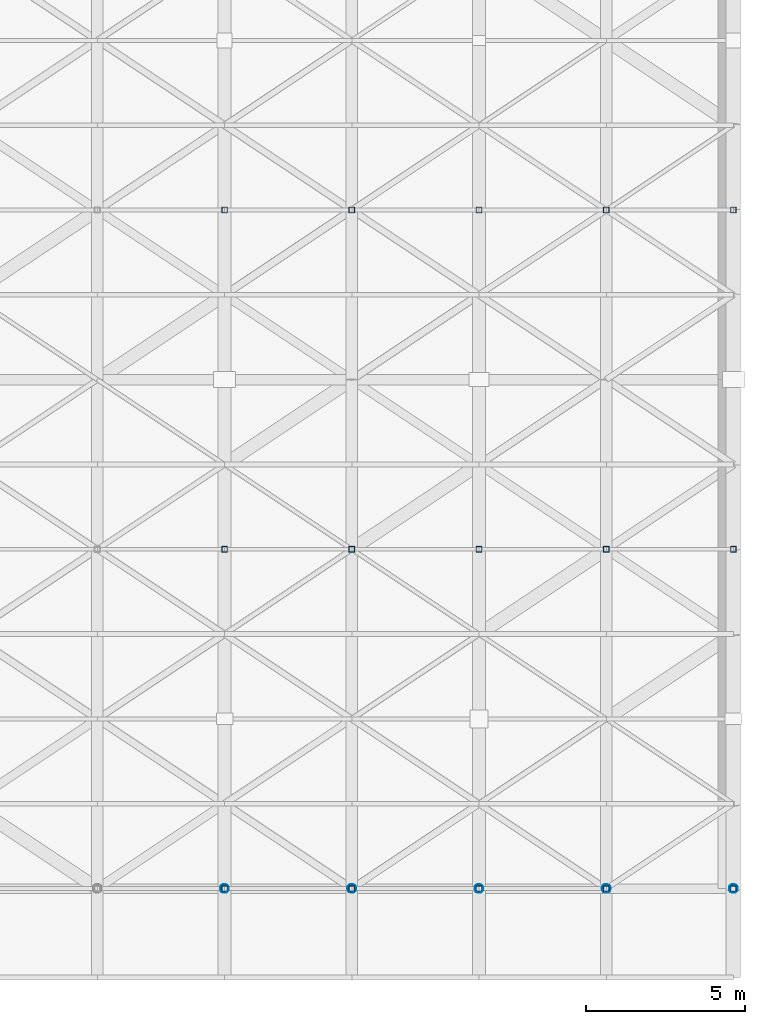
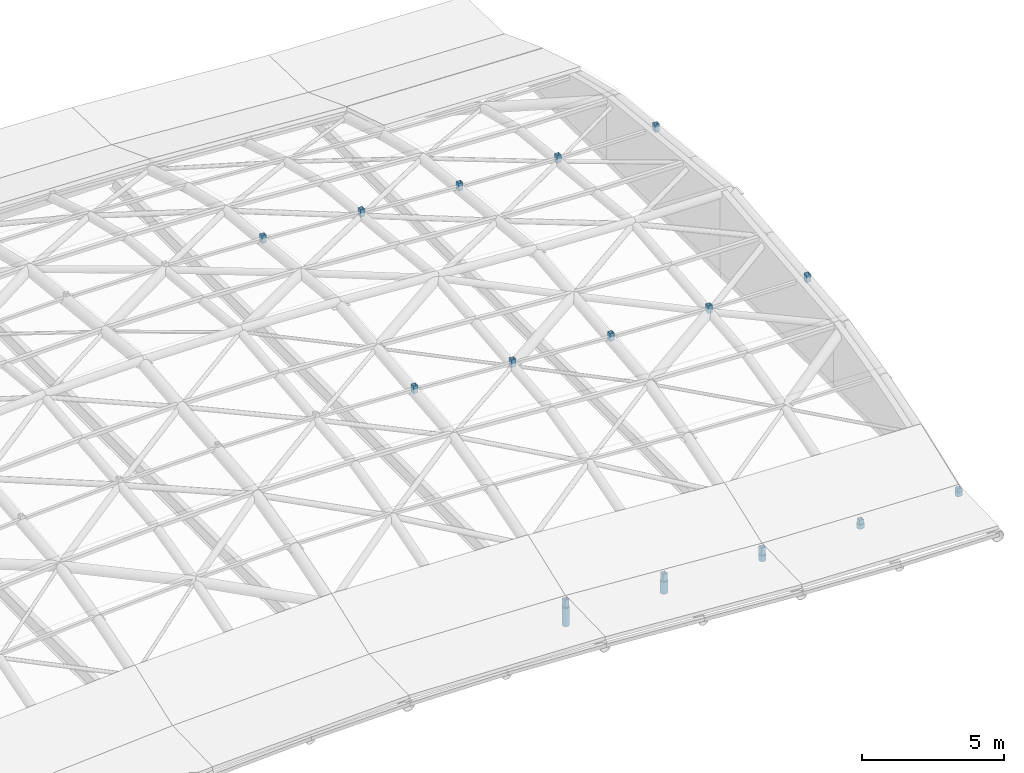
# One storey, part 15 of 20: 20 members.
"""IFC4 building model written with IfcOpenShell, lengths in metres."""

import ifcopenshell
import ifcopenshell.guid

model = None  # the IFC model being written
_history = None  # IfcOwnerHistory: only IFC2X3 demands one
_inside = {}  # id of a spatial element -> (the spatial element, [elements in it])
_under = {}  # id of a project, library or spatial element -> (it, [spatial elements below it])
_declared = {}  # id of a project -> (the project, [libraries it declares])
_typed = {}  # id of a type object -> (the type object, [elements of that type])
_made_of = {}  # id of a material, layer set ... -> (it, [elements and type objects made of it])


def new_model(schema):
    """Start an empty IFC model of exactly this schema.

    Asked for "IFC4X3", IfcOpenShell would pick the latest addendum, in which some entities
    have other attributes; the version numbers below select the first issue.
    IFC2X3 requires an IfcOwnerHistory on every rooted entity: one is made here for all.
    """
    global model, _history
    if schema == "IFC4X3":
        model = ifcopenshell.file(schema_version=(4, 3, 0, 0))
    else:
        model = ifcopenshell.file(schema=schema)
    _inside.clear()
    _under.clear()
    _declared.clear()
    _typed.clear()
    _made_of.clear()
    _history = None
    if model.schema == "IFC2X3":
        org = make("IfcOrganization", Name="unknown")
        user = make(
            "IfcPersonAndOrganization",
            ThePerson=make("IfcPerson", FamilyName="unknown"),
            TheOrganization=org,
        )
        app = make(
            "IfcApplication",
            ApplicationDeveloper=org,
            Version="unknown",
            ApplicationFullName="unknown",
            ApplicationIdentifier="unknown",
        )
        _history = make(
            "IfcOwnerHistory",
            OwningUser=user,
            OwningApplication=app,
            ChangeAction="ADDED",
            CreationDate=0,
        )
    return model


def make(cls, **values):
    """One entity of the class cls with the attributes given. An attribute that is None is left unset."""
    return model.create_entity(
        cls, **{name: value for name, value in values.items() if value is not None}
    )


def rooted(cls, **values):
    """An entity with a GlobalId (a new one), such as an element, a storey or a relation."""
    return make(cls, GlobalId=ifcopenshell.guid.new(), OwnerHistory=_history, **values)


def si_unit(unit_type, name, prefix=None):
    """IfcSIUnit, for example si_unit("LENGTHUNIT", "METRE", prefix="MILLI")."""
    return make("IfcSIUnit", UnitType=unit_type, Prefix=prefix, Name=name)


def assignment(units):
    """IfcUnitAssignment: the units of a project."""
    return None if units is None else make("IfcUnitAssignment", Units=units)


def point(xyz):
    """IfcCartesianPoint."""
    return None if xyz is None else make("IfcCartesianPoint", Coordinates=xyz)


def direction(xyz):
    """IfcDirection."""
    return None if xyz is None else make("IfcDirection", DirectionRatios=xyz)


def frame(location, z_axis=None, x_axis=None):
    """IfcAxis2Placement3D, a coordinate frame: its origin and axes. An axis left out is left unset."""
    return make(
        "IfcAxis2Placement3D",
        Location=point(location),
        Axis=direction(z_axis),
        RefDirection=direction(x_axis),
    )


def frame_2d(location, x_axis=None):
    """IfcAxis2Placement2D, a coordinate frame in the plane: its origin and x axis."""
    return make(
        "IfcAxis2Placement2D", Location=point(location), RefDirection=direction(x_axis)
    )


def origin():
    """The frame at (0, 0, 0) with its axes left unset."""
    return frame((0.0, 0.0, 0.0))


def origin_2d():
    """The frame at (0, 0) in the plane with its x axis left unset."""
    return frame_2d((0.0, 0.0))


def place(relative_to, where):
    """IfcLocalPlacement: puts the frame where relative to a parent placement (None: the world)."""
    return make(
        "IfcLocalPlacement", PlacementRelTo=relative_to, RelativePlacement=where
    )


def context(
    kind, dimensions, precision=None, world=None, true_north=None, identifier=None
):
    """IfcGeometricRepresentationContext, for example the 3D "Model" context."""
    return make(
        "IfcGeometricRepresentationContext",
        ContextIdentifier=identifier,
        ContextType=kind,
        CoordinateSpaceDimension=dimensions,
        Precision=precision,
        WorldCoordinateSystem=world,
        TrueNorth=true_north,
    )


def subcontext(parent, identifier, kind, view, scale=None):
    """IfcGeometricRepresentationSubContext, for example "Body" below "Model"."""
    return make(
        "IfcGeometricRepresentationSubContext",
        ContextIdentifier=identifier,
        ContextType=kind,
        ParentContext=parent,
        TargetScale=scale,
        TargetView=view,
    )


def project(units=None, contexts=None):
    """IfcProject with its units and contexts."""
    return rooted(
        "IfcProject",
        Name="project",
        RepresentationContexts=contexts,
        UnitsInContext=assignment(units),
    )


def spatial(cls, under=None, at=None, **own):
    """A site, building, storey or space (cls), placed at a placement, below another one or the project."""
    s = rooted(cls, ObjectPlacement=at, **own)
    if under is not None:
        _under.setdefault(under.id(), (under, []))[1].append(s)
    return s


def profile(cls, at=None, kind="AREA", **sizes):
    """A parametric profile (cls). Its sizes go by their IFC names, for example OverallWidth=200.0."""
    return make(cls, ProfileType=kind, Position=at, **sizes)


def hollow_rectangle(**sizes):
    """IfcRectangleHollowProfileDef."""
    return profile("IfcRectangleHollowProfileDef", **sizes)


def hollow_circle(**sizes):
    """IfcCircleHollowProfileDef."""
    return profile("IfcCircleHollowProfileDef", **sizes)


def extrude(swept, where, along, depth):
    """IfcExtrudedAreaSolid: the profile swept, set in the frame where, extruded along a direction by depth."""
    return make(
        "IfcExtrudedAreaSolid",
        SweptArea=swept,
        Position=where,
        ExtrudedDirection=direction(along),
        Depth=depth,
    )


def shape(context_of_items, identifier, shape_type, items):
    """IfcShapeRepresentation: the items that make up one representation, for example the "Body"."""
    return make(
        "IfcShapeRepresentation",
        ContextOfItems=context_of_items,
        RepresentationIdentifier=identifier,
        RepresentationType=shape_type,
        Items=items,
    )


def material(Name=None, Category=None):
    """IfcMaterial."""
    return make("IfcMaterial", Name=Name, Category=Category)


def material_profile(
    of_material, cross_section, Name=None, Category=None, Priority=None
):
    """IfcMaterialProfile: a cross section and its material."""
    return make(
        "IfcMaterialProfile",
        Name=Name,
        Material=of_material,
        Profile=cross_section,
        Priority=Priority,
        Category=Category,
    )


def profile_set(profiles, Name=None, composite=None):
    """IfcMaterialProfileSet."""
    return make(
        "IfcMaterialProfileSet",
        Name=Name,
        MaterialProfiles=profiles,
        CompositeProfile=composite,
    )


def made_of(thing, what):
    """Note that an element or type object is made of a material, layer set ...; save() writes the relation."""
    if what is not None:
        _made_of.setdefault(what.id(), (what, []))[1].append(thing)
    return thing


def type_object(cls, material=None, **own):
    """A type object (cls), such as IfcWallType, which elements share."""
    return made_of(rooted(cls, **own), material)


def element(
    cls,
    number,
    at=None,
    inside=None,
    cuts=None,
    type_object=None,
    material=None,
    context=None,
    identifier="Body",
    shape_type=None,
    held_by="IfcProductDefinitionShape",
    body=None,
    shapes=None,
    **own,
):
    """One element of the class cls, such as IfcWall. Its Tag is "e" and its number.

    at: its placement. inside: the storey or other place that contains it. cuts: it is an
    opening in that element (IfcRelVoidsElement). A single representation is given by context,
    identifier, shape_type and body (its items); several are given by shapes. held_by: the class
    of the entity that holds the representations. save() writes the other relations.
    """
    e = rooted(cls, Tag="e%d" % number, ObjectPlacement=at, **own)
    if body is not None:
        shapes = [shape(context, identifier, shape_type, body)]
    if shapes is not None:
        e.Representation = make(held_by, Representations=shapes)
    if inside is not None:
        _inside.setdefault(inside.id(), (inside, []))[1].append(e)
    if cuts is not None:
        rooted(
            "IfcRelVoidsElement", RelatingBuildingElement=cuts, RelatedOpeningElement=e
        )
    if type_object is not None:
        _typed.setdefault(type_object.id(), (type_object, []))[1].append(e)
    return made_of(e, material)


def aggregate(whole, parts):
    """IfcRelAggregates: a whole, such as a stair, and the parts it consists of."""
    return rooted("IfcRelAggregates", RelatingObject=whole, RelatedObjects=parts)


def save(model, path):
    """Write the relations noted so far, then the file.

    IfcRelAggregates (storeys below a building ...), IfcRelContainedInSpatialStructure (elements
    in a storey), IfcRelDefinesByType, IfcRelAssociatesMaterial and IfcRelDeclares: one each for
    every whole, place, type object, material and project.
    """
    for whole, parts in _under.values():
        aggregate(whole, parts)
    for where, things in _inside.values():
        rooted(
            "IfcRelContainedInSpatialStructure",
            RelatedElements=things,
            RelatingStructure=where,
        )
    for kind, things in _typed.values():
        rooted("IfcRelDefinesByType", RelatedObjects=things, RelatingType=kind)
    for what, things in _made_of.values():
        rooted("IfcRelAssociatesMaterial", RelatedObjects=things, RelatingMaterial=what)
    for by, libraries in _declared.values():
        rooted("IfcRelDeclares", RelatingContext=by, RelatedDefinitions=libraries)
    model.write(path)


model = new_model("IFC4")

# Units and contexts
model_context = context("Model", 3, precision=1e-05, world=origin(), true_north=direction((0.0, 1.0)))
body_context = subcontext(model_context, "Body", "Model", "MODEL_VIEW")
ifc_project = project(units=[si_unit("LENGTHUNIT", "METRE"), si_unit("AREAUNIT", "SQUARE_METRE"), si_unit("VOLUMEUNIT", "CUBIC_METRE"), si_unit("PLANEANGLEUNIT", "RADIAN"), si_unit("MASSUNIT", "GRAM", prefix="KILO")], contexts=[model_context])

# Site, building, storey
site_placement = place(None, origin())
site = spatial("IfcSite", under=ifc_project, at=site_placement, CompositionType="ELEMENT")
building_placement = place(site_placement, origin())
building = spatial("IfcBuilding", under=site, at=building_placement, Name="Tenunan Teduh Sports Hall", CompositionType="ELEMENT")
storey_placement = place(building_placement, frame((0.0, 0.0, 23.39990234375)))
storey = spatial("IfcBuildingStorey", under=building, at=storey_placement, Name="RF", CompositionType="ELEMENT", Elevation=23.39990234375)

# Members
ifc_material_1 = material(Name="Steel S355", Category="steel")
ifc_material_profile_1 = material_profile(ifc_material_1, hollow_circle(Radius=0.136474609375, WallThickness=0.010009765625, at=origin_2d()), Name="CHS 273.0x10.0")
ifc_profile_set_1 = profile_set([ifc_material_profile_1], Name="Steel S355")
member_type_1 = type_object("IfcMemberType", Name="MEM-ST-CHS273", PredefinedType="STRUT", material=ifc_profile_set_1)
member_1_placement = place(storey_placement, frame((38.0, 14.0, -0.349853515625), z_axis=(0.0, 0.0, 1.0), x_axis=(1.0, 0.0, 0.0)))
element("IfcMember", 1, at=member_1_placement, inside=storey, type_object=member_type_1, Name="MEM-VS-04-RF-0472", PredefinedType="STRUT", context=body_context, shape_type="SweptSolid", body=[
    extrude(hollow_circle(Radius=0.136474609375, WallThickness=0.010009765625, at=origin_2d()), origin(), (0.0, 0.0, 1.0), 0.794189453125),
])
member_2_placement = place(storey_placement, frame((42.0, 14.0, -0.349853515625), z_axis=(0.0, 0.0, 1.0), x_axis=(1.0, 0.0, 0.0)))
element("IfcMember", 2, at=member_2_placement, inside=storey, type_object=member_type_1, Name="MEM-VS-04-RF-0480", PredefinedType="STRUT", context=body_context, shape_type="SweptSolid", body=[
    extrude(hollow_circle(Radius=0.136474609375, WallThickness=0.010009765625, at=origin_2d()), origin(), (0.0, 0.0, 1.0), 0.520751953125),
])
member_3_placement = place(storey_placement, frame((46.0, 14.0, -0.349853515625), z_axis=(0.0, 0.0, 1.0), x_axis=(1.0, 0.0, 0.0)))
element("IfcMember", 3, at=member_3_placement, inside=storey, type_object=member_type_1, Name="MEM-VS-04-RF-0488", PredefinedType="STRUT", context=body_context, shape_type="SweptSolid", body=[
    extrude(hollow_circle(Radius=0.136474609375, WallThickness=0.010009765625, at=origin_2d()), origin(), (0.0, 0.0, 1.0), 0.243408203125),
])
for number, where, z_axis, x_axis, name in (
    (4, (50.0, 14.0, -0.349853515625), (0.0, 0.0, 1.0), (1.0, 0.0, 0.0), "MEM-VS-04-RF-0496"),
    (5, (54.0, 14.0, -0.349853515625), (0.0, 0.0, 1.0), (1.0, 0.0, 0.0), "MEM-VS-04-RF-0504"),
):
    element("IfcMember", number, at=place(storey_placement, frame(where, z_axis=z_axis, x_axis=x_axis)), inside=storey, type_object=member_type_1, Name=name, PredefinedType="STRUT", context=body_context, shape_type="SweptSolid", body=[
        extrude(hollow_circle(Radius=0.136474609375, WallThickness=0.010009765625, at=origin_2d()), origin(), (0.0, 0.0, 1.0), 0.18994140625),
    ])
ifc_material_2 = material(Name="Steel S355", Category="steel")
ifc_material_profile_2 = material_profile(ifc_material_2, hollow_rectangle(XDim=0.179931640625, YDim=0.179931640625, WallThickness=0.010009765625, at=origin_2d()), Name="SHS 180x180x10.0")
ifc_profile_set_2 = profile_set([ifc_material_profile_2], Name="Steel S355")
member_type_2 = type_object("IfcMemberType", Name="MEM-ST-SHS180", PredefinedType="STRUT", material=ifc_profile_set_2)
for number, where, z_axis, x_axis, name in (
    (6, (38.0, 14.0, 0.4443359375), (0.0, 0.0, 1.0), (1.0, 0.0, 0.0), "MEM-VS-03-RF-0476"),
    (7, (38.0, 24.666748046875, 3.1943359375), (0.0, 0.0, 1.0), (1.0, 0.0, 0.0), "MEM-VS-03-RF-0477"),
    (8, (38.0, 35.333251953125, 3.1943359375), (0.0, 0.0, 1.0), (1.0, 0.0, 0.0), "MEM-VS-03-RF-0478"),
    (9, (42.0, 14.0, 0.1708984375), (0.0, 0.0, 1.0), (1.0, 0.0, 0.0), "MEM-VS-03-RF-0484"),
    (10, (42.0, 24.666748046875, 2.9208984375), (0.0, 0.0, 1.0), (1.0, 0.0, 0.0), "MEM-VS-03-RF-0485"),
    (11, (42.0, 35.333251953125, 2.9208984375), (0.0, 0.0, 1.0), (1.0, 0.0, 0.0), "MEM-VS-03-RF-0486"),
    (12, (46.0, 14.0, -0.1064453125), (0.0, 0.0, 1.0), (1.0, 0.0, 0.0), "MEM-VS-03-RF-0492"),
    (13, (46.0, 24.666748046875, 2.6435546875), (0.0, 0.0, 1.0), (1.0, 0.0, 0.0), "MEM-VS-03-RF-0493"),
    (14, (46.0, 35.333251953125, 2.6435546875), (0.0, 0.0, 1.0), (1.0, 0.0, 0.0), "MEM-VS-03-RF-0494"),
    (15, (50.0, 14.0, -0.3056640625), (0.0, 0.0, 1.0), (1.0, 0.0, 0.0), "MEM-VS-03-RF-0500"),
    (16, (50.0, 24.666748046875, 2.4443359375), (0.0, 0.0, 1.0), (1.0, 0.0, 0.0), "MEM-VS-03-RF-0501"),
    (17, (50.0, 35.333251953125, 2.4443359375), (0.0, 0.0, 1.0), (1.0, 0.0, 0.0), "MEM-VS-03-RF-0502"),
    (18, (54.0, 14.0, -0.3798828125), (0.0, 0.0, 1.0), (1.0, 0.0, 0.0), "MEM-VS-03-RF-0508"),
    (19, (54.0, 24.666748046875, 2.3701171875), (0.0, 0.0, 1.0), (1.0, 0.0, 0.0), "MEM-VS-03-RF-0509"),
    (20, (54.0, 35.333251953125, 2.3701171875), (0.0, 0.0, 1.0), (1.0, 0.0, 0.0), "MEM-VS-03-RF-0510"),
):
    element("IfcMember", number, at=place(storey_placement, frame(where, z_axis=z_axis, x_axis=x_axis)), inside=storey, type_object=member_type_2, Name=name, PredefinedType="STRUT", context=body_context, shape_type="SweptSolid", body=[
        extrude(hollow_rectangle(XDim=0.179931640625, YDim=0.179931640625, WallThickness=0.010009765625, at=origin_2d()), origin(), (0.0, 0.0, 1.0), 0.330078125),
    ])

save(model, "model.ifc")
